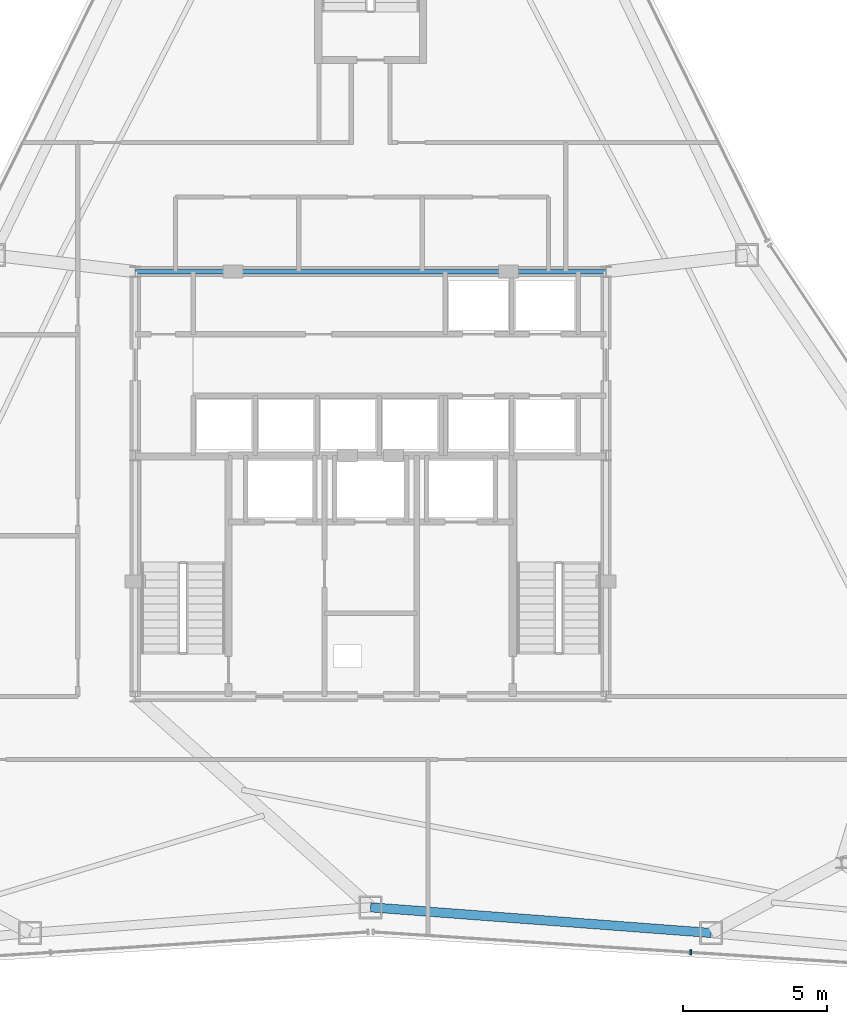
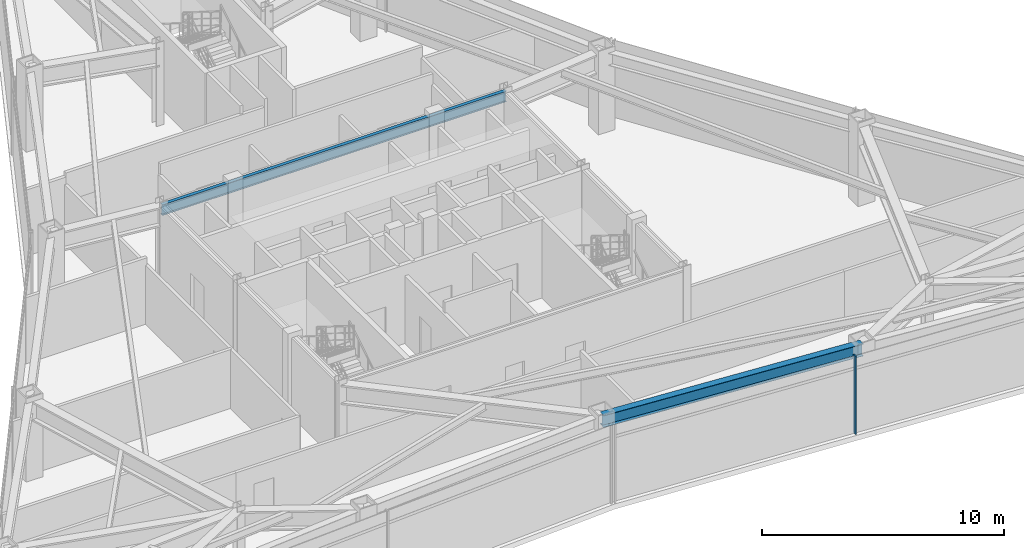
# One storey, part 6 of 13: 2 beams, 1 member, 1 element without a shape of its own.
"""IFC4 building model written with IfcOpenShell, lengths in metres."""

from ifc_helpers import new_model, si_unit, direction, frame, origin, origin_2d, place, context, subcontext, project, spatial, rectangle, i_section, extrude, source, transform, mapped, material, layer, layer_set, material_profile, profile_set, type_object, type_shapes, element, aggregate, save


model = new_model("IFC4")

# Units and contexts
model_context = context("Model", 3, precision=1e-05, world=origin(), true_north=direction((0.0, 1.0)))
body_context = subcontext(model_context, "Body", "Model", "MODEL_VIEW")
ifc_project = project(units=[si_unit("LENGTHUNIT", "METRE"), si_unit("AREAUNIT", "SQUARE_METRE"), si_unit("VOLUMEUNIT", "CUBIC_METRE"), si_unit("PLANEANGLEUNIT", "RADIAN"), si_unit("MASSUNIT", "GRAM", prefix="KILO")], contexts=[model_context])

# Site, building, storey
site_placement = place(None, origin())
site = spatial("IfcSite", under=ifc_project, at=site_placement, CompositionType="ELEMENT")
building_placement = place(site_placement, origin())
building = spatial("IfcBuilding", under=site, at=building_placement, Name="Varakhsha Concourse Tower", CompositionType="ELEMENT")
storey_placement = place(building_placement, frame((0.0, 0.0, 200.699951171875)))
storey = spatial("IfcBuildingStorey", under=building, at=storey_placement, Name="L57", CompositionType="ELEMENT", Elevation=200.699951171875)

# Beams
ifc_material_1 = material(Name="Structural Steel ASTM A992 Grade 50", Category="steel")
ifc_material_profile_1 = material_profile(ifc_material_1, i_section(OverallWidth=0.1669921875, OverallDepth=0.534912109375, WebThickness=0.010009765625, FlangeThickness=0.01708984375, at=origin_2d()), Name="W21X57")
ifc_profile_set_1 = profile_set([ifc_material_profile_1], Name="Structural Steel ASTM A992 Grade 50")
beam_type_1 = type_object("IfcBeamType", Name="BM-RAD-W21X57", PredefinedType="BEAM", material=ifc_profile_set_1)
beam_1_placement = place(storey_placement, frame((31.800048828125, 31.199951171875, 3.6826171875), z_axis=(1.0, 0.0, 0.0), x_axis=(0.0, 1.0, 0.0)))
element("IfcBeam", 1, at=beam_1_placement, inside=storey, type_object=beam_type_1, Name="BM-TCORE-L57-CN", PredefinedType="BEAM", context=body_context, shape_type="SweptSolid", body=[
    extrude(i_section(OverallWidth=0.1669921875, OverallDepth=0.534912109375, WebThickness=0.010009765625, FlangeThickness=0.01708984375, at=origin_2d()), origin(), (0.0, 0.0, 1.0), 16.39990234375),
])
ifc_material_profile_2 = material_profile(ifc_material_1, i_section(OverallWidth=0.323974609375, OverallDepth=0.611083984375, WebThickness=0.012939453125, FlangeThickness=0.01904296875, at=origin_2d()), Name="W24X104")
ifc_profile_set_2 = profile_set([ifc_material_profile_2], Name="Structural Steel ASTM A992 Grade 50")
beam_type_2 = type_object("IfcBeamType", Name="BM-SPAN-W24X104", PredefinedType="SPANDREL", material=ifc_profile_set_2)
beam_2_placement = place(storey_placement, frame((40.0, 9.052490234375, 3.64453125), z_axis=(0.99717450924, -0.075119891647, 0.0), x_axis=(0.075119891647, 0.99717450924, 0.0)))
element("IfcBeam", 2, at=beam_2_placement, inside=storey, type_object=beam_type_2, Name="BM-SPAN-L57-11", PredefinedType="SPANDREL", context=body_context, shape_type="SweptSolid", body=[
    extrude(i_section(OverallWidth=0.323974609375, OverallDepth=0.611083984375, WebThickness=0.012939453125, FlangeThickness=0.01904296875, at=origin_2d()), origin(), (0.0, 0.0, 1.0), 11.901611328125),
])

# Curtain wall, member
ifc_material_2 = material(Name="Anodised Bronze Architectural Aluminium AA 6063-T6", Category="aluminium")
ifc_layer = layer(ifc_material_2, 0.199951171875, Name="CW-SYS-05")
ifc_layer_set = layer_set([ifc_layer], Name="Anodised Bronze Architectural Aluminium AA 6063-T6")
curtain_wall_type = type_object("IfcCurtainWallType", Name="CW-SYS-05", PredefinedType="NOTDEFINED", material=ifc_layer_set)
curtain_wall_placement = place(storey_placement, origin())
curtain_wall = element("IfcCurtainWall", 3, at=curtain_wall_placement, inside=storey, type_object=curtain_wall_type, Name="L57 Crystal Curtain Wall F6", PredefinedType="NOTDEFINED")
ifc_material_profile_3 = material_profile(ifc_material_2, rectangle(XDim=0.06494140625, YDim=0.179931640625, at=origin_2d()), Name="CWM-180X65")
ifc_profile_set_3 = profile_set([ifc_material_profile_3], Name="Anodised Bronze Architectural Aluminium AA 6063-T6")
member_type = type_object("IfcMemberType", Name="CWM-180X65", PredefinedType="MULLION", material=ifc_profile_set_3)
shared_shape = source(origin(), body_context, "Body", "SweptSolid", [
    extrude(rectangle(XDim=0.06494140625, YDim=0.179931640625, at=origin_2d()), origin(), (0.0, 0.0, 1.0), 3.949951171875),
])
type_shapes(member_type, [shared_shape])
member_placement = place(storey_placement, frame((51.153076171875, 7.48291015625, 0.0), z_axis=(0.0, 0.0, 1.0), x_axis=(-0.997935057794, 0.064230992718, 0.0)))
member = element("IfcMember", 4, at=member_placement, type_object=member_type, Name="CW-L57-F6 Mullion 01", PredefinedType="MULLION", context=body_context, shape_type="MappedRepresentation", body=[
    mapped(shared_shape, transform((0.0, 0.0, 0.0), scale=1.0)),
])
aggregate(curtain_wall, [member])

save(model, "model.ifc")
